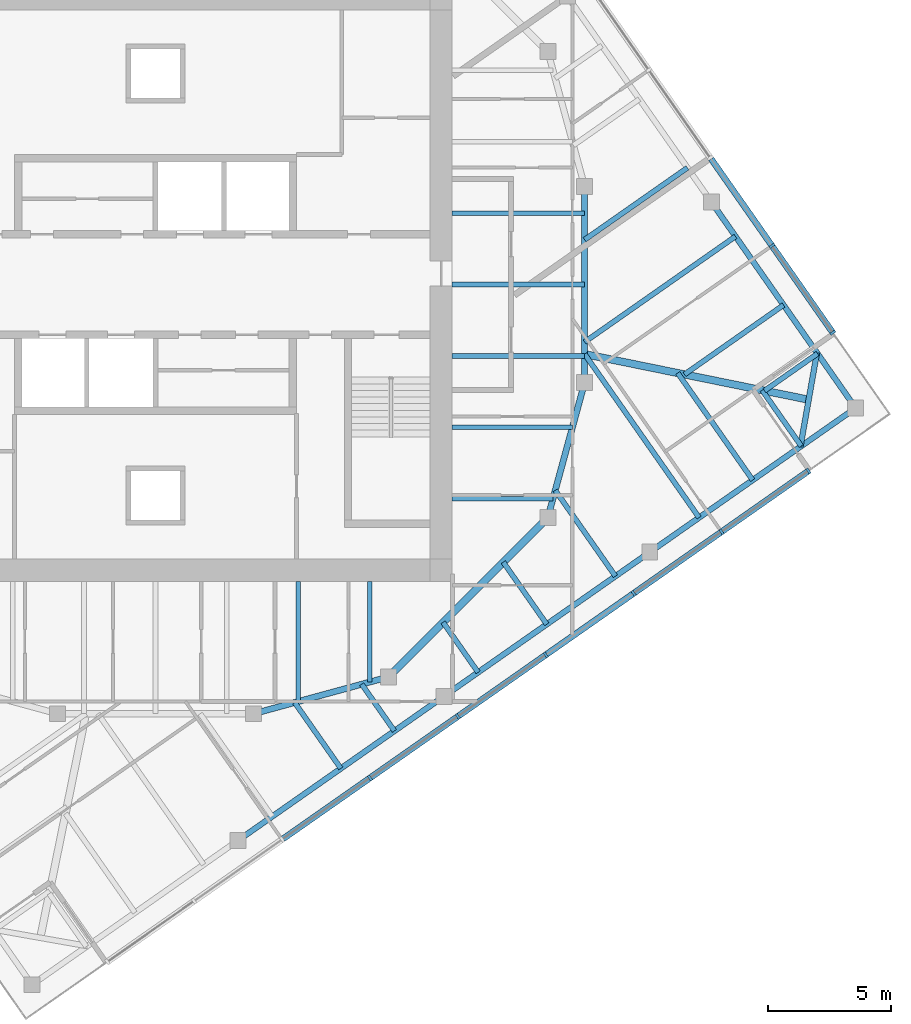
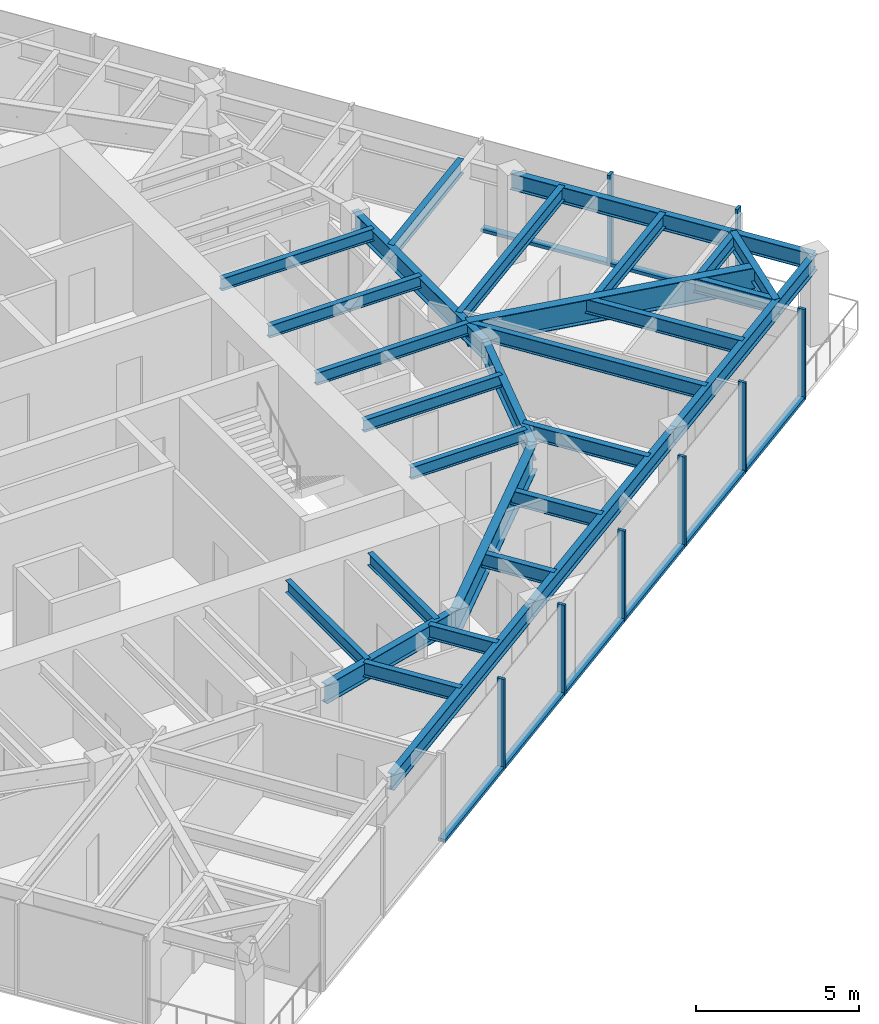
# One storey, part 3 of 12: 29 beams, 16 members, 2 elements without a shape of their own.
"""IFC4 building model written with IfcOpenShell, lengths in metres."""

from ifc_helpers import new_model, si_unit, direction, frame, origin, origin_2d, place, context, subcontext, project, spatial, rectangle, i_section, extrude, material, material_profile, profile_set, type_object, element, aggregate, save


model = new_model("IFC4")

# Units and contexts
model_context = context("Model", 3, precision=1e-05, world=origin(), true_north=direction((0.0, 1.0)))
body_context = subcontext(model_context, "Body", "Model", "MODEL_VIEW")
ifc_project = project(units=[si_unit("LENGTHUNIT", "METRE"), si_unit("AREAUNIT", "SQUARE_METRE"), si_unit("VOLUMEUNIT", "CUBIC_METRE"), si_unit("PLANEANGLEUNIT", "RADIAN"), si_unit("MASSUNIT", "GRAM", prefix="KILO")], contexts=[model_context])

# Site, building, storey
site_placement = place(None, origin())
site = spatial("IfcSite", under=ifc_project, at=site_placement, CompositionType="ELEMENT")
building_placement = place(site_placement, origin())
building = spatial("IfcBuilding", under=site, at=building_placement, Name="Torsade Residences", CompositionType="ELEMENT")
storey_placement = place(building_placement, frame((0.0, 0.0, 243.800048828125)))
storey = spatial("IfcBuildingStorey", under=building, at=storey_placement, Name="L67", CompositionType="ELEMENT", Elevation=243.800048828125)

# Beams
ifc_material_1 = material(Name="Steel grade 300", Category="steel")
ifc_material_profile_1 = material_profile(ifc_material_1, i_section(OverallWidth=0.300048828125, OverallDepth=0.89990234375, WebThickness=0.011962890625, FlangeThickness=0.02490234375, at=origin_2d()), Name="900WB175")
ifc_profile_set_1 = profile_set([ifc_material_profile_1], Name="Steel grade 300")
beam_type_1 = type_object("IfcBeamType", Name="CORNER GIRDER 900WB175", PredefinedType="BEAM", material=ifc_profile_set_1)
beam_1_placement = place(storey_placement, frame((66.635986328125, 25.303466796875, 2.800048828125), z_axis=(-0.979880626756, 0.199584461589, 0.0), x_axis=(-0.199584461589, -0.979880626756, 0.0)))
element("IfcBeam", 1, at=beam_1_placement, inside=storey, type_object=beam_type_1, Name="Corner girder 05 L68", PredefinedType="BEAM", context=body_context, shape_type="SweptSolid", body=[
    extrude(i_section(OverallWidth=0.300048828125, OverallDepth=0.89990234375, WebThickness=0.011962890625, FlangeThickness=0.02490234375, at=origin_2d()), origin(), (0.0, 0.0, 1.0), 9.323486328125),
])
ifc_material_2 = material(Name="Steel grade 300", Category="steel")
ifc_material_profile_2 = material_profile(ifc_material_2, i_section(OverallWidth=0.22802734375, OverallDepth=0.60205078125, WebThickness=0.010498046875, FlangeThickness=0.014892578125, FilletRadius=0.013916015625, at=origin_2d()), Name="610UB101")
ifc_profile_set_2 = profile_set([ifc_material_profile_2], Name="Steel grade 300")
beam_type_2 = type_object("IfcBeamType", Name="CORNER TRIMMER 610UB101", PredefinedType="BEAM", material=ifc_profile_set_2)
beam_2_placement = place(storey_placement, frame((66.9736328125, 27.21826171875, 2.948974609375), z_axis=(-0.173645660267, -0.984808196894, 0.0), x_axis=(0.984808196894, -0.173645660267, 0.0)))
element("IfcBeam", 2, at=beam_2_placement, inside=storey, type_object=beam_type_2, Name="Corner trimmer 05 L68", PredefinedType="BEAM", context=body_context, shape_type="SweptSolid", body=[
    extrude(i_section(OverallWidth=0.22802734375, OverallDepth=0.60205078125, WebThickness=0.010498046875, FlangeThickness=0.014892578125, FilletRadius=0.013916015625, at=origin_2d()), origin(), (0.0, 0.0, 1.0), 3.888916015625),
])
ifc_material_3 = material(Name="Steel grade 300", Category="steel")
ifc_material_profile_3 = material_profile(ifc_material_3, i_section(OverallWidth=0.22900390625, OverallDepth=0.612060546875, WebThickness=0.011962890625, FlangeThickness=0.01953125, FilletRadius=0.013916015625, at=origin_2d()), Name="610UB125")
ifc_profile_set_3 = profile_set([ifc_material_profile_3], Name="Steel grade 300")
beam_type_3 = type_object("IfcBeamType", Name="EDGE BEAM 610UB125", PredefinedType="SPANDREL", material=ifc_profile_set_3)
for number, where, z_axis, x_axis, name in (
    (3, (43.362060546875, 7.328125, 2.94384765625), (0.819150225126, 0.573579034377, 0.0), (-0.573579034377, 0.819150225126, 0.0), "Edge beam 02 L68"),
    (4, (51.75830078125, 13.207275390625, 2.94384765625), (0.819150225126, 0.573579034377, 0.0), (-0.573579034377, 0.819150225126, 0.0), "Edge beam 03 L68"),
):
    element("IfcBeam", number, at=place(storey_placement, frame(where, z_axis=z_axis, x_axis=x_axis)), inside=storey, type_object=beam_type_3, Name=name, PredefinedType="SPANDREL", context=body_context, shape_type="SweptSolid", body=[
        extrude(i_section(OverallWidth=0.22900390625, OverallDepth=0.612060546875, WebThickness=0.011962890625, FlangeThickness=0.01953125, FilletRadius=0.013916015625, at=origin_2d()), origin(), (0.0, 0.0, 1.0), 10.25),
    ])
beam_3_placement = place(storey_placement, frame((60.154541015625, 19.08642578125, 2.94384765625), z_axis=(0.819146870247, 0.573583825578, 0.0), x_axis=(-0.573583825578, 0.819146870247, 0.0)))
element("IfcBeam", 5, at=beam_3_placement, inside=storey, type_object=beam_type_3, Name="Edge beam 04 L68", PredefinedType="SPANDREL", context=body_context, shape_type="SweptSolid", body=[
    extrude(i_section(OverallWidth=0.22900390625, OverallDepth=0.612060546875, WebThickness=0.011962890625, FlangeThickness=0.01953125, FilletRadius=0.013916015625, at=origin_2d()), origin(), (0.0, 0.0, 1.0), 10.250244140625),
])
beam_4_placement = place(storey_placement, frame((68.551025390625, 24.9658203125, 2.94384765625), z_axis=(-0.573579034377, 0.819150225126, 0.0), x_axis=(-0.819150225126, -0.573579034377, 0.0)))
element("IfcBeam", 6, at=beam_4_placement, inside=storey, type_object=beam_type_3, Name="Edge beam 05 L68", PredefinedType="SPANDREL", context=body_context, shape_type="SweptSolid", body=[
    extrude(i_section(OverallWidth=0.22900390625, OverallDepth=0.612060546875, WebThickness=0.011962890625, FlangeThickness=0.01953125, FilletRadius=0.013916015625, at=origin_2d()), origin(), (0.0, 0.0, 1.0), 10.25),
])

# Curtain wall, members
ifc_material_4 = material(Name="Aluminium and glass", Category="aluminium")
curtain_wall_type = type_object("IfcCurtainWallType", Name="FRITTED GLASS CURTAIN WALL HIGH ZONE", PredefinedType="NOTDEFINED", material=ifc_material_4)
curtain_wall_1_placement = place(storey_placement, origin())
curtain_wall_1 = element("IfcCurtainWall", 7, at=curtain_wall_1_placement, inside=storey, type_object=curtain_wall_type, Name="Curtain wall L67 face 1", PredefinedType="NOTDEFINED")
ifc_material_5 = material(Name="Aluminium mullion", Category="aluminium")
ifc_material_profile_4 = material_profile(ifc_material_5, rectangle(XDim=0.25, YDim=0.10009765625, at=origin_2d()), Name="HIGH ZONE CURTAIN WALL MULLION 250x100")
ifc_profile_set_4 = profile_set([ifc_material_profile_4], Name="Aluminium mullion")
member_type_1 = type_object("IfcMemberType", Name="HIGH ZONE CURTAIN WALL MULLION 250x100", PredefinedType="MULLION", material=ifc_profile_set_4)
member_1_placement = place(storey_placement, frame((48.748046875, 9.87890625, 0.0), z_axis=(0.0, 0.0, 1.0), x_axis=(-0.573576457682, 0.819152029353, 0.0)))
member_1 = element("IfcMember", 8, at=member_1_placement, type_object=member_type_1, Name="Mullion 4", PredefinedType="MULLION", context=body_context, shape_type="SweptSolid", body=[
    extrude(rectangle(XDim=0.25, YDim=0.10009765625, at=origin_2d()), origin(), (0.0, 0.0, 1.0), 3.39990234375),
])
member_2_placement = place(storey_placement, frame((52.331787109375, 12.38818359375, 0.0), z_axis=(0.0, 0.0, 1.0), x_axis=(-0.573576457682, 0.819152029353, 0.0)))
member_2 = element("IfcMember", 9, at=member_2_placement, type_object=member_type_1, Name="Mullion 5", PredefinedType="MULLION", context=body_context, shape_type="SweptSolid", body=[
    extrude(rectangle(XDim=0.25, YDim=0.10009765625, at=origin_2d()), origin(), (0.0, 0.0, 1.0), 3.39990234375),
])
member_3_placement = place(storey_placement, frame((55.915771484375, 14.897705078125, 0.0), z_axis=(0.0, 0.0, 1.0), x_axis=(-0.573576457682, 0.819152029353, 0.0)))
member_3 = element("IfcMember", 10, at=member_3_placement, type_object=member_type_1, Name="Mullion 6", PredefinedType="MULLION", context=body_context, shape_type="SweptSolid", body=[
    extrude(rectangle(XDim=0.25, YDim=0.10009765625, at=origin_2d()), origin(), (0.0, 0.0, 1.0), 3.39990234375),
])
member_4_placement = place(storey_placement, frame((59.49951171875, 17.406982421875, 0.0), z_axis=(0.0, 0.0, 1.0), x_axis=(-0.573576457682, 0.819152029353, 0.0)))
member_4 = element("IfcMember", 11, at=member_4_placement, type_object=member_type_1, Name="Mullion 7", PredefinedType="MULLION", context=body_context, shape_type="SweptSolid", body=[
    extrude(rectangle(XDim=0.25, YDim=0.10009765625, at=origin_2d()), origin(), (0.0, 0.0, 1.0), 3.39990234375),
])
member_5_placement = place(storey_placement, frame((63.083251953125, 19.91650390625, 0.0), z_axis=(0.0, 0.0, 1.0), x_axis=(-0.573576457682, 0.819152029353, 0.0)))
member_5 = element("IfcMember", 12, at=member_5_placement, type_object=member_type_1, Name="Mullion 8", PredefinedType="MULLION", context=body_context, shape_type="SweptSolid", body=[
    extrude(rectangle(XDim=0.25, YDim=0.10009765625, at=origin_2d()), origin(), (0.0, 0.0, 1.0), 3.39990234375),
])
member_6_placement = place(storey_placement, frame((66.6259765625, 22.397216796875, 0.0), z_axis=(0.0, 0.0, 1.0), x_axis=(-0.573576457682, 0.819152029353, 0.0)))
member_6 = element("IfcMember", 13, at=member_6_placement, type_object=member_type_1, Name="Mullion 9", PredefinedType="MULLION", context=body_context, shape_type="SweptSolid", body=[
    extrude(rectangle(XDim=0.25, YDim=0.10009765625, at=origin_2d()), origin(), (0.0, 0.0, 1.0), 3.39990234375),
])

curtain_wall_2_placement = place(storey_placement, origin())
curtain_wall_2 = element("IfcCurtainWall", 14, at=curtain_wall_2_placement, inside=storey, type_object=curtain_wall_type, Name="Curtain wall L67 face 4", PredefinedType="NOTDEFINED")
member_7_placement = place(storey_placement, frame((67.62060546875, 28.03759765625, 0.0), z_axis=(0.0, 0.0, 1.0), x_axis=(-0.819152029353, -0.573576457682, 0.0)))
member_7 = element("IfcMember", 15, at=member_7_placement, type_object=member_type_1, Name="Mullion 1", PredefinedType="MULLION", context=body_context, shape_type="SweptSolid", body=[
    extrude(rectangle(XDim=0.25, YDim=0.10009765625, at=origin_2d()), origin(), (0.0, 0.0, 1.0), 3.39990234375),
])
member_8_placement = place(storey_placement, frame((65.139892578125, 31.58056640625, 0.0), z_axis=(0.0, 0.0, 1.0), x_axis=(-0.819152029353, -0.573576457682, 0.0)))
member_8 = element("IfcMember", 16, at=member_8_placement, type_object=member_type_1, Name="Mullion 2", PredefinedType="MULLION", context=body_context, shape_type="SweptSolid", body=[
    extrude(rectangle(XDim=0.25, YDim=0.10009765625, at=origin_2d()), origin(), (0.0, 0.0, 1.0), 3.39990234375),
])

# Member
ifc_material_6 = material(Name="Aluminium transom", Category="aluminium")
ifc_material_profile_5 = material_profile(ifc_material_6, rectangle(XDim=0.25, YDim=0.1201171875, at=origin_2d()), Name="HIGH ZONE CURTAIN WALL TRANSOM 250x120")
ifc_profile_set_5 = profile_set([ifc_material_profile_5], Name="Aluminium transom")
member_type_2 = type_object("IfcMemberType", Name="HIGH ZONE CURTAIN WALL TRANSOM 250x120", PredefinedType="USERDEFINED", material=ifc_profile_set_5)
member_9_placement = place(storey_placement, frame((45.205322265625, 7.398193359375, 0.06005859375), z_axis=(0.819154102984, 0.573573496219, 0.0), x_axis=(-0.573573496219, 0.819154102984, 0.0)))
member_9 = element("IfcMember", 17, at=member_9_placement, type_object=member_type_2, Name="Transom 3.1", ObjectType="TRANSOM", PredefinedType="USERDEFINED", context=body_context, shape_type="SweptSolid", body=[
    extrude(rectangle(XDim=0.25, YDim=0.1201171875, at=origin_2d()), origin(), (0.0, 0.0, 1.0), 4.27490234375),
])

member_10_placement = place(storey_placement, frame((48.7890625, 9.907470703125, 0.06005859375), z_axis=(0.819146058863, 0.57358498433, 0.0), x_axis=(-0.57358498433, 0.819146058863, 0.0)))
member_10 = element("IfcMember", 18, at=member_10_placement, type_object=member_type_2, Name="Transom 4.1", ObjectType="TRANSOM", PredefinedType="USERDEFINED", context=body_context, shape_type="SweptSolid", body=[
    extrude(rectangle(XDim=0.25, YDim=0.1201171875, at=origin_2d()), origin(), (0.0, 0.0, 1.0), 4.275146484375),
])

member_11_placement = place(storey_placement, frame((52.372802734375, 12.4169921875, 0.06005859375), z_axis=(0.81917289067, 0.573546663483, 0.0), x_axis=(-0.573546663483, 0.81917289067, 0.0)))
member_11 = element("IfcMember", 19, at=member_11_placement, type_object=member_type_2, Name="Transom 5.1", ObjectType="TRANSOM", PredefinedType="USERDEFINED", context=body_context, shape_type="SweptSolid", body=[
    extrude(rectangle(XDim=0.25, YDim=0.1201171875, at=origin_2d()), origin(), (0.0, 0.0, 1.0), 4.27490234375),
])

member_12_placement = place(storey_placement, frame((55.95654296875, 14.92626953125, 0.06005859375), z_axis=(0.819146058863, 0.57358498433, 0.0), x_axis=(-0.57358498433, 0.819146058863, 0.0)))
member_12 = element("IfcMember", 20, at=member_12_placement, type_object=member_type_2, Name="Transom 6.1", ObjectType="TRANSOM", PredefinedType="USERDEFINED", context=body_context, shape_type="SweptSolid", body=[
    extrude(rectangle(XDim=0.25, YDim=0.1201171875, at=origin_2d()), origin(), (0.0, 0.0, 1.0), 4.275146484375),
])

member_13_placement = place(storey_placement, frame((59.54052734375, 17.435791015625, 0.06005859375), z_axis=(0.819154102984, 0.573573496219, 0.0), x_axis=(-0.573573496219, 0.819154102984, 0.0)))
member_13 = element("IfcMember", 21, at=member_13_placement, type_object=member_type_2, Name="Transom 7.1", ObjectType="TRANSOM", PredefinedType="USERDEFINED", context=body_context, shape_type="SweptSolid", body=[
    extrude(rectangle(XDim=0.25, YDim=0.1201171875, at=origin_2d()), origin(), (0.0, 0.0, 1.0), 4.27490234375),
])

member_14_placement = place(storey_placement, frame((63.124267578125, 19.945068359375, 0.06005859375), z_axis=(0.819155901234, 0.573570928023, 0.0), x_axis=(-0.573570928023, 0.819155901234, 0.0)))
member_14 = element("IfcMember", 22, at=member_14_placement, type_object=member_type_2, Name="Transom 8.1", ObjectType="TRANSOM", PredefinedType="USERDEFINED", context=body_context, shape_type="SweptSolid", body=[
    extrude(rectangle(XDim=0.25, YDim=0.1201171875, at=origin_2d()), origin(), (0.0, 0.0, 1.0), 4.22509765625),
])

aggregate(curtain_wall_1, [member_1, member_2, member_3, member_4, member_5, member_6, member_9, member_10, member_11, member_12, member_13, member_14])

member_15_placement = place(storey_placement, frame((67.592041015625, 28.07861328125, 0.06005859375), z_axis=(-0.573570928023, 0.819155901234, 0.0), x_axis=(-0.819155901234, -0.573570928023, 0.0)))
member_15 = element("IfcMember", 23, at=member_15_placement, type_object=member_type_2, Name="Transom 1.1", ObjectType="TRANSOM", PredefinedType="USERDEFINED", context=body_context, shape_type="SweptSolid", body=[
    extrude(rectangle(XDim=0.25, YDim=0.1201171875, at=origin_2d()), origin(), (0.0, 0.0, 1.0), 4.22509765625),
])

member_16_placement = place(storey_placement, frame((65.111328125, 31.62158203125, 0.06005859375), z_axis=(-0.573611817101, 0.819127269283, 0.0), x_axis=(-0.819127269283, -0.573611817101, 0.0)))
member_16 = element("IfcMember", 24, at=member_16_placement, type_object=member_type_2, Name="Transom 2.1", ObjectType="TRANSOM", PredefinedType="USERDEFINED", context=body_context, shape_type="SweptSolid", body=[
    extrude(rectangle(XDim=0.25, YDim=0.1201171875, at=origin_2d()), origin(), (0.0, 0.0, 1.0), 4.27490234375),
])

aggregate(curtain_wall_2, [member_7, member_8, member_15, member_16])

# Beams
ifc_material_7 = material(Name="Steel grade 300", Category="steel")
ifc_material_profile_6 = material_profile(ifc_material_7, i_section(OverallWidth=0.18994140625, OverallDepth=0.4541015625, WebThickness=0.008544921875, FlangeThickness=0.0126953125, FilletRadius=0.011474609375, at=origin_2d()), Name="460UB67.1")
ifc_profile_set_6 = profile_set([ifc_material_profile_6], Name="Steel grade 300")
beam_type_4 = type_object("IfcBeamType", Name="INNER FLOOR BEAM 460UB67.1", PredefinedType="JOIST", material=ifc_profile_set_6)
beam_5_placement = place(storey_placement, frame((48.737548828125, 17.89990234375, 3.02294921875), z_axis=(0.0, -1.0, 0.0), x_axis=(1.0, 0.0, 0.0)))
element("IfcBeam", 25, at=beam_5_placement, inside=storey, type_object=beam_type_4, Name="Inner floor beam IS01 L68", PredefinedType="JOIST", context=body_context, shape_type="SweptSolid", body=[
    extrude(i_section(OverallWidth=0.18994140625, OverallDepth=0.4541015625, WebThickness=0.008544921875, FlangeThickness=0.0126953125, FilletRadius=0.011474609375, at=origin_2d()), origin(), (0.0, 0.0, 1.0), 4.10791015625),
])
beam_6_placement = place(storey_placement, frame((45.824951171875, 17.89990234375, 3.02294921875), z_axis=(0.0, -1.0, 0.0), x_axis=(1.0, 0.0, 0.0)))
element("IfcBeam", 26, at=beam_6_placement, inside=storey, type_object=beam_type_4, Name="Inner floor beam IS02 L68", PredefinedType="JOIST", context=body_context, shape_type="SweptSolid", body=[
    extrude(i_section(OverallWidth=0.18994140625, OverallDepth=0.4541015625, WebThickness=0.008544921875, FlangeThickness=0.0126953125, FilletRadius=0.011474609375, at=origin_2d()), origin(), (0.0, 0.0, 1.0), 4.902099609375),
])
beam_7_placement = place(storey_placement, frame((52.10009765625, 21.262451171875, 3.02294921875), z_axis=(1.0, 0.0, 0.0), x_axis=(0.0, 1.0, 0.0)))
element("IfcBeam", 27, at=beam_7_placement, inside=storey, type_object=beam_type_4, Name="Inner floor beam IE01 L68", PredefinedType="JOIST", context=body_context, shape_type="SweptSolid", body=[
    extrude(i_section(OverallWidth=0.18994140625, OverallDepth=0.4541015625, WebThickness=0.008544921875, FlangeThickness=0.0126953125, FilletRadius=0.011474609375, at=origin_2d()), origin(), (0.0, 0.0, 1.0), 4.10791015625),
])
beam_8_placement = place(storey_placement, frame((52.10009765625, 24.175048828125, 3.02294921875), z_axis=(1.0, 0.0, 0.0), x_axis=(0.0, 1.0, 0.0)))
element("IfcBeam", 28, at=beam_8_placement, inside=storey, type_object=beam_type_4, Name="Inner floor beam IE02 L68", PredefinedType="JOIST", context=body_context, shape_type="SweptSolid", body=[
    extrude(i_section(OverallWidth=0.18994140625, OverallDepth=0.4541015625, WebThickness=0.008544921875, FlangeThickness=0.0126953125, FilletRadius=0.011474609375, at=origin_2d()), origin(), (0.0, 0.0, 1.0), 4.902099609375),
])
for number, where, z_axis, x_axis, name in (
    (29, (52.10009765625, 27.08740234375, 3.02294921875), (1.0, 0.0, 0.0), (0.0, 1.0, 0.0), "Inner floor beam IE03 L68"),
    (30, (52.10009765625, 30.0, 3.02294921875), (1.0, 0.0, 0.0), (0.0, 1.0, 0.0), "Inner floor beam IE04 L68"),
    (31, (52.10009765625, 32.91259765625, 3.02294921875), (1.0, 0.0, 0.0), (0.0, 1.0, 0.0), "Inner floor beam IE05 L68"),
):
    element("IfcBeam", number, at=place(storey_placement, frame(where, z_axis=z_axis, x_axis=x_axis)), inside=storey, type_object=beam_type_4, Name=name, PredefinedType="JOIST", context=body_context, shape_type="SweptSolid", body=[
        extrude(i_section(OverallWidth=0.18994140625, OverallDepth=0.4541015625, WebThickness=0.008544921875, FlangeThickness=0.0126953125, FilletRadius=0.011474609375, at=origin_2d()), origin(), (0.0, 0.0, 1.0), 5.39990234375),
    ])
ifc_material_8 = material(Name="Steel grade 300", Category="steel")
ifc_material_profile_7 = material_profile(ifc_material_8, i_section(OverallWidth=0.300048828125, OverallDepth=1.0, WebThickness=0.01611328125, FlangeThickness=0.028076171875, at=origin_2d()), Name="1000WB215")
ifc_profile_set_7 = profile_set([ifc_material_profile_7], Name="Steel grade 300")
beam_type_5 = type_object("IfcBeamType", Name="RING CORNER GIRDER 1000WB215", PredefinedType="BEAM", material=ifc_profile_set_7)
beam_9_placement = place(storey_placement, frame((49.5, 14.0, 2.75), z_axis=(0.707106781187, 0.707106781187, 0.0), x_axis=(-0.707106781187, 0.707106781187, 0.0)))
element("IfcBeam", 32, at=beam_9_placement, inside=storey, type_object=beam_type_5, Name="Ring girder IR15 L68", PredefinedType="BEAM", context=body_context, shape_type="SweptSolid", body=[
    extrude(i_section(OverallWidth=0.300048828125, OverallDepth=1.0, WebThickness=0.01611328125, FlangeThickness=0.028076171875, at=origin_2d()), origin(), (0.0, 0.0, 1.0), 9.1923828125),
])
ifc_material_9 = material(Name="Steel grade 300", Category="steel")
ifc_material_profile_8 = material_profile(ifc_material_9, i_section(OverallWidth=0.25, OverallDepth=0.699951171875, WebThickness=0.010009765625, FlangeThickness=0.02001953125, at=origin_2d()), Name="700WB130")
ifc_profile_set_8 = profile_set([ifc_material_profile_8], Name="Steel grade 300")
beam_type_6 = type_object("IfcBeamType", Name="RING GIRDER 700WB130", PredefinedType="BEAM", material=ifc_profile_set_8)
beam_10_placement = place(storey_placement, frame((57.5, 26.0, 2.89990234375), z_axis=(0.0, 1.0, 0.0), x_axis=(-1.0, 0.0, 0.0)))
element("IfcBeam", 33, at=beam_10_placement, inside=storey, type_object=beam_type_6, Name="Ring girder IR01 L68", PredefinedType="BEAM", context=body_context, shape_type="SweptSolid", body=[
    extrude(i_section(OverallWidth=0.25, OverallDepth=0.699951171875, WebThickness=0.010009765625, FlangeThickness=0.02001953125, at=origin_2d()), origin(), (0.0, 0.0, 1.0), 8.0),
])
for number, where, z_axis, x_axis, name in (
    (34, (44.0, 12.5, 2.89990234375), (0.964763821238, 0.263117405792, 0.0), (-0.263117405792, 0.964763821238, 0.0), "Ring girder IR14 L68"),
    (35, (56.0, 20.5, 2.89990234375), (0.263117405792, 0.964763821238, 0.0), (-0.964763821238, 0.263117405792, 0.0), "Ring girder IR16 L68"),
):
    element("IfcBeam", number, at=place(storey_placement, frame(where, z_axis=z_axis, x_axis=x_axis)), inside=storey, type_object=beam_type_6, Name=name, PredefinedType="BEAM", context=body_context, shape_type="SweptSolid", body=[
        extrude(i_section(OverallWidth=0.25, OverallDepth=0.699951171875, WebThickness=0.010009765625, FlangeThickness=0.02001953125, at=origin_2d()), origin(), (0.0, 0.0, 1.0), 5.700927734375),
    ])
ifc_material_10 = material(Name="Steel grade 300", Category="steel")
ifc_material_profile_9 = material_profile(ifc_material_10, i_section(OverallWidth=0.208984375, OverallDepth=0.532958984375, WebThickness=0.01025390625, FlangeThickness=0.015625, FilletRadius=0.013916015625, at=origin_2d()), Name="530UB92.4")
ifc_profile_set_9 = profile_set([ifc_material_profile_9], Name="Steel grade 300")
beam_type_7 = type_object("IfcBeamType", Name="SECONDARY BEAM 530UB92.4", PredefinedType="JOIST", material=ifc_profile_set_9)
beam_11_placement = place(storey_placement, frame((47.56005859375, 10.267822265625, 2.9833984375), z_axis=(-0.573552173902, 0.819169032504, 0.0), x_axis=(-0.819169032504, -0.573552173902, 0.0)))
element("IfcBeam", 36, at=beam_11_placement, inside=storey, type_object=beam_type_7, Name="Floor beam FS05 L68", PredefinedType="JOIST", context=body_context, shape_type="SweptSolid", body=[
    extrude(i_section(OverallWidth=0.208984375, OverallDepth=0.532958984375, WebThickness=0.01025390625, FlangeThickness=0.015625, FilletRadius=0.013916015625, at=origin_2d()), origin(), (0.0, 0.0, 1.0), 3.283203125),
])
beam_12_placement = place(storey_placement, frame((49.74462890625, 11.79736328125, 2.9833984375), z_axis=(-0.573567996949, 0.819157953557, 0.0), x_axis=(-0.819157953557, -0.573567996949, 0.0)))
element("IfcBeam", 37, at=beam_12_placement, inside=storey, type_object=beam_type_7, Name="Floor beam FS06 L68", PredefinedType="JOIST", context=body_context, shape_type="SweptSolid", body=[
    extrude(i_section(OverallWidth=0.208984375, OverallDepth=0.532958984375, WebThickness=0.01025390625, FlangeThickness=0.015625, FilletRadius=0.013916015625, at=origin_2d()), origin(), (0.0, 0.0, 1.0), 2.326171875),
])
beam_13_placement = place(storey_placement, frame((53.15771484375, 14.187255859375, 2.9833984375), z_axis=(-0.573547823109, 0.819172078752, 0.0), x_axis=(-0.819172078752, -0.573547823109, 0.0)))
element("IfcBeam", 38, at=beam_13_placement, inside=storey, type_object=beam_type_7, Name="Floor beam FS07 L68", PredefinedType="JOIST", context=body_context, shape_type="SweptSolid", body=[
    extrude(i_section(OverallWidth=0.208984375, OverallDepth=0.532958984375, WebThickness=0.01025390625, FlangeThickness=0.015625, FilletRadius=0.013916015625, at=origin_2d()), origin(), (0.0, 0.0, 1.0), 2.491943359375),
])
beam_14_placement = place(storey_placement, frame((55.95654296875, 16.14697265625, 2.9833984375), z_axis=(-0.573600013401, 0.819135534955, 0.0), x_axis=(-0.819135534955, -0.573600013401, 0.0)))
element("IfcBeam", 39, at=beam_14_placement, inside=storey, type_object=beam_type_7, Name="Floor beam FS08 L68", PredefinedType="JOIST", context=body_context, shape_type="SweptSolid", body=[
    extrude(i_section(OverallWidth=0.208984375, OverallDepth=0.532958984375, WebThickness=0.01025390625, FlangeThickness=0.015625, FilletRadius=0.013916015625, at=origin_2d()), origin(), (0.0, 0.0, 1.0), 3.09423828125),
])
beam_15_placement = place(storey_placement, frame((58.755126953125, 18.106689453125, 2.9833984375), z_axis=(-0.573581127575, 0.819148759439, 0.0), x_axis=(-0.819148759439, -0.573581127575, 0.0)))
element("IfcBeam", 40, at=beam_15_placement, inside=storey, type_object=beam_type_7, Name="Floor beam FS09 L68", PredefinedType="JOIST", context=body_context, shape_type="SweptSolid", body=[
    extrude(i_section(OverallWidth=0.208984375, OverallDepth=0.532958984375, WebThickness=0.01025390625, FlangeThickness=0.015625, FilletRadius=0.013916015625, at=origin_2d()), origin(), (0.0, 0.0, 1.0), 4.276123046875),
])
beam_16_placement = place(storey_placement, frame((62.16845703125, 20.49658203125, 2.9833984375), z_axis=(-0.573577087251, 0.819151588523, 0.0), x_axis=(-0.819151588523, -0.573577087251, 0.0)))
element("IfcBeam", 41, at=beam_16_placement, inside=storey, type_object=beam_type_7, Name="Floor beam FS10 L68", PredefinedType="JOIST", context=body_context, shape_type="SweptSolid", body=[
    extrude(i_section(OverallWidth=0.208984375, OverallDepth=0.532958984375, WebThickness=0.01025390625, FlangeThickness=0.015625, FilletRadius=0.013916015625, at=origin_2d()), origin(), (0.0, 0.0, 1.0), 8.13916015625),
])
beam_17_placement = place(storey_placement, frame((64.352783203125, 22.026123046875, 2.9833984375), z_axis=(-0.573597638513, 0.819137197966, 0.0), x_axis=(-0.819137197966, -0.573597638513, 0.0)))
element("IfcBeam", 42, at=beam_17_placement, inside=storey, type_object=beam_type_7, Name="Floor beam FS11 L68", PredefinedType="JOIST", context=body_context, shape_type="SweptSolid", body=[
    extrude(i_section(OverallWidth=0.208984375, OverallDepth=0.532958984375, WebThickness=0.01025390625, FlangeThickness=0.015625, FilletRadius=0.013916015625, at=origin_2d()), origin(), (0.0, 0.0, 1.0), 5.328369140625),
])
beam_18_placement = place(storey_placement, frame((66.332275390625, 23.412353515625, 2.9833984375), z_axis=(-0.573521270253, 0.819190669238, 0.0), x_axis=(-0.819190669238, -0.573521270253, 0.0)))
element("IfcBeam", 43, at=beam_18_placement, inside=storey, type_object=beam_type_7, Name="Floor beam FS12 L68", PredefinedType="JOIST", context=body_context, shape_type="SweptSolid", body=[
    extrude(i_section(OverallWidth=0.208984375, OverallDepth=0.532958984375, WebThickness=0.01025390625, FlangeThickness=0.015625, FilletRadius=0.013916015625, at=origin_2d()), origin(), (0.0, 0.0, 1.0), 2.780517578125),
])
beam_19_placement = place(storey_placement, frame((66.99755859375, 27.184326171875, 2.9833984375), z_axis=(-0.819140666445, -0.573592685254, 0.0), x_axis=(0.573592685254, -0.819140666445, 0.0)))
element("IfcBeam", 44, at=beam_19_placement, inside=storey, type_object=beam_type_7, Name="Floor beam FE01 L68", PredefinedType="JOIST", context=body_context, shape_type="SweptSolid", body=[
    extrude(i_section(OverallWidth=0.208984375, OverallDepth=0.532958984375, WebThickness=0.01025390625, FlangeThickness=0.015625, FilletRadius=0.013916015625, at=origin_2d()), origin(), (0.0, 0.0, 1.0), 2.639892578125),
])
beam_20_placement = place(storey_placement, frame((65.611328125, 29.163818359375, 2.9833984375), z_axis=(-0.819152843027, -0.573575295634, 0.0), x_axis=(0.573575295634, -0.819152843027, 0.0)))
element("IfcBeam", 45, at=beam_20_placement, inside=storey, type_object=beam_type_7, Name="Floor beam FE02 L68", PredefinedType="JOIST", context=body_context, shape_type="SweptSolid", body=[
    extrude(i_section(OverallWidth=0.208984375, OverallDepth=0.532958984375, WebThickness=0.01025390625, FlangeThickness=0.015625, FilletRadius=0.013916015625, at=origin_2d()), origin(), (0.0, 0.0, 1.0), 4.931884765625),
])
beam_21_placement = place(storey_placement, frame((63.651611328125, 31.962646484375, 2.9833984375), z_axis=(-0.819154019917, -0.573573614851, 0.0), x_axis=(0.573573614851, -0.819154019917, 0.0)))
element("IfcBeam", 46, at=beam_21_placement, inside=storey, type_object=beam_type_7, Name="Floor beam FE03 L68", PredefinedType="JOIST", context=body_context, shape_type="SweptSolid", body=[
    extrude(i_section(OverallWidth=0.208984375, OverallDepth=0.532958984375, WebThickness=0.01025390625, FlangeThickness=0.015625, FilletRadius=0.013916015625, at=origin_2d()), origin(), (0.0, 0.0, 1.0), 7.509765625),
])
beam_22_placement = place(storey_placement, frame((61.69189453125, 34.761474609375, 2.9833984375), z_axis=(-0.819142258339, -0.573590411882, 0.0), x_axis=(0.573590411882, -0.819142258339, 0.0)))
element("IfcBeam", 47, at=beam_22_placement, inside=storey, type_object=beam_type_7, Name="Floor beam FE04 L68", PredefinedType="JOIST", context=body_context, shape_type="SweptSolid", body=[
    extrude(i_section(OverallWidth=0.208984375, OverallDepth=0.532958984375, WebThickness=0.01025390625, FlangeThickness=0.015625, FilletRadius=0.013916015625, at=origin_2d()), origin(), (0.0, 0.0, 1.0), 5.117431640625),
])

save(model, "model.ifc")
